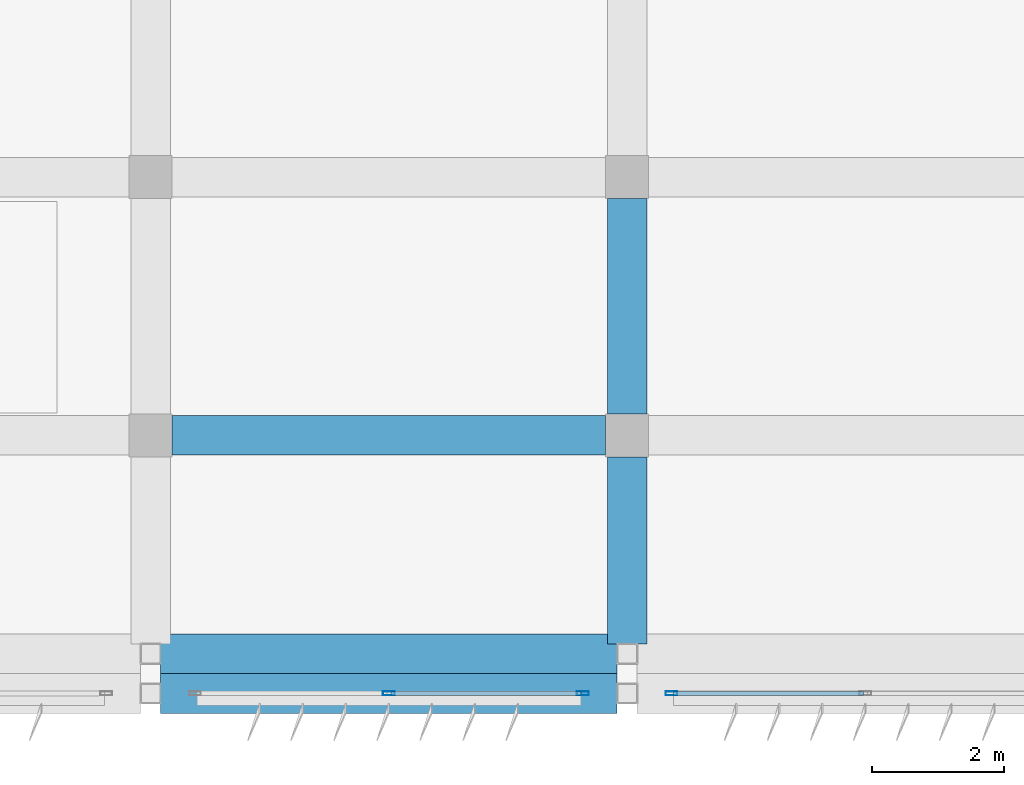
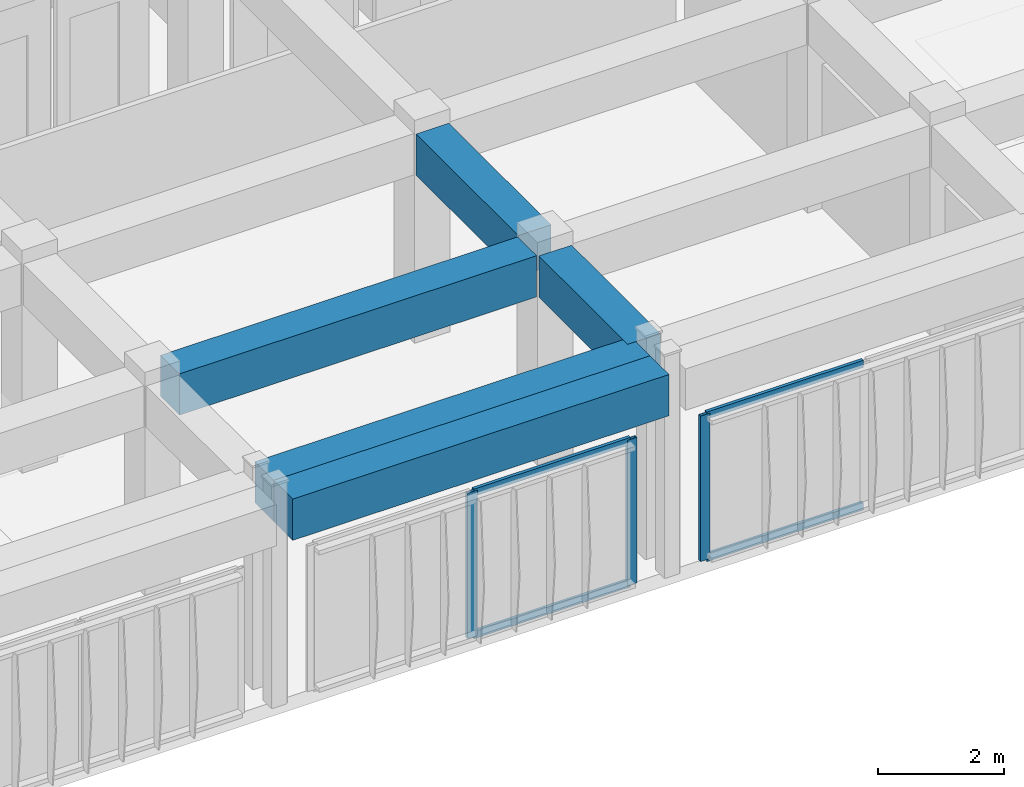
# One storey, part 14 of 42: 7 members, 5 beams, 2 elements without a shape of their own.
"""IFC4 building model written with IfcOpenShell, lengths in metres."""

from ifc_helpers import new_model, si_unit, direction, frame, origin, origin_2d, place, context, subcontext, project, spatial, rectangle, hollow_rectangle, extrude, material, material_profile, profile_set, type_object, element, aggregate, save


model = new_model("IFC4")

# Units and contexts
model_context = context("Model", 3, precision=1e-05, world=origin(), true_north=direction((0.0, 1.0)))
body_context = subcontext(model_context, "Body", "Model", "MODEL_VIEW")
ifc_project = project(units=[si_unit("LENGTHUNIT", "METRE"), si_unit("AREAUNIT", "SQUARE_METRE"), si_unit("VOLUMEUNIT", "CUBIC_METRE"), si_unit("PLANEANGLEUNIT", "RADIAN"), si_unit("MASSUNIT", "GRAM", prefix="KILO")], contexts=[model_context])

# Site, building, storey
site_placement = place(None, origin())
site = spatial("IfcSite", under=ifc_project, at=site_placement, CompositionType="ELEMENT")
building_placement = place(site_placement, origin())
building = spatial("IfcBuilding", under=site, at=building_placement, Name="Kazehaya Institute of Natural Sciences", CompositionType="ELEMENT")
storey_placement = place(building_placement, frame((0.0, 0.0, 37.6201171875)))
storey = spatial("IfcBuildingStorey", under=building, at=storey_placement, Name="L08", CompositionType="ELEMENT", Elevation=37.6201171875)

# Beams
ifc_material_1 = material(Name="Concrete Fc36", Category="concrete")
ifc_material_profile_1 = material_profile(ifc_material_1, rectangle(XDim=0.60009765625, YDim=0.800048828125, at=origin_2d()), Name="RC-600x800")
ifc_profile_set_1 = profile_set([ifc_material_profile_1], Name="Concrete Fc36")
beam_type = type_object("IfcBeamType", Name="BM-G-600x800", PredefinedType="BEAM", material=ifc_profile_set_1)
for number, where, z_axis, x_axis, name in (
    (1, (83.550048828125, 6.199951171875, 3.64990234375), (1.0, 0.0, 0.0), (0.0, 1.0, 0.0), "L08 primary X girder BMX-L08-834-62"),
    (2, (83.550048828125, 6.800048828125, 3.64990234375), (1.0, 0.0, 0.0), (0.0, 1.0, 0.0), "L08 primary X girder BMX-L08-834-68"),
):
    element("IfcBeam", number, at=place(storey_placement, frame(where, z_axis=z_axis, x_axis=x_axis)), inside=storey, type_object=beam_type, Name=name, PredefinedType="BEAM", context=body_context, shape_type="SweptSolid", body=[
        extrude(rectangle(XDim=0.60009765625, YDim=0.800048828125, at=origin_2d()), origin(), (0.0, 0.0, 1.0), 6.89990234375),
    ])
beam_1_placement = place(storey_placement, frame((83.72509765625, 10.10009765625, 3.64990234375), z_axis=(1.0, 0.0, 0.0), x_axis=(0.0, 1.0, 0.0)))
element("IfcBeam", 3, at=beam_1_placement, inside=storey, type_object=beam_type, Name="L08 primary X girder BMX-L08-834-101", PredefinedType="BEAM", context=body_context, shape_type="SweptSolid", body=[
    extrude(rectangle(XDim=0.60009765625, YDim=0.800048828125, at=origin_2d()), origin(), (0.0, 0.0, 1.0), 6.5498046875),
])
beam_2_placement = place(storey_placement, frame((90.60009765625, 6.949951171875, 3.64990234375), z_axis=(0.0, 1.0, 0.0), x_axis=(-1.0, 0.0, 0.0)))
element("IfcBeam", 4, at=beam_2_placement, inside=storey, type_object=beam_type, Name="L08 primary Y girder BMY-L08-906-68", PredefinedType="BEAM", context=body_context, shape_type="SweptSolid", body=[
    extrude(rectangle(XDim=0.60009765625, YDim=0.800048828125, at=origin_2d()), origin(), (0.0, 0.0, 1.0), 2.824951171875),
])
beam_3_placement = place(storey_placement, frame((90.60009765625, 10.425048828125, 3.64990234375), z_axis=(0.0, 1.0, 0.0), x_axis=(-1.0, 0.0, 0.0)))
element("IfcBeam", 5, at=beam_3_placement, inside=storey, type_object=beam_type, Name="L08 primary Y girder BMY-L08-906-101", PredefinedType="BEAM", context=body_context, shape_type="SweptSolid", body=[
    extrude(rectangle(XDim=0.60009765625, YDim=0.800048828125, at=origin_2d()), origin(), (0.0, 0.0, 1.0), 3.25),
])

# Curtain wall, member
ifc_material_2 = material(Name="Aluminium alloy A6063S-T5", Category="aluminium")
curtain_wall_type = type_object("IfcCurtainWallType", Name="CW-SYS-05", PredefinedType="NOTDEFINED", material=ifc_material_2)
curtain_wall_1_placement = place(storey_placement, origin())
curtain_wall_1 = element("IfcCurtainWall", 6, at=curtain_wall_1_placement, inside=storey, type_object=curtain_wall_type, Name="L08 unitised curtain wall CW-L08-179", PredefinedType="NOTDEFINED")
ifc_material_profile_2 = material_profile(ifc_material_2, hollow_rectangle(XDim=0.06005859375, YDim=0.179931640625, WallThickness=0.00390625, at=origin_2d()), Name="ALU-60x180x4")
ifc_profile_set_2 = profile_set([ifc_material_profile_2], Name="Aluminium alloy A6063S-T5")
member_type_1 = type_object("IfcMemberType", Name="CWM-180", PredefinedType="MULLION", material=ifc_profile_set_2)
member_1_placement = place(storey_placement, frame((91.27001953125, 6.199951171875, 0.0), z_axis=(0.0, 0.0, 1.0), x_axis=(0.0, -1.0, 0.0)))
member_1 = element("IfcMember", 7, at=member_1_placement, type_object=member_type_1, Name="CW05 mullion 3", PredefinedType="MULLION", context=body_context, shape_type="SweptSolid", body=[
    extrude(hollow_rectangle(XDim=0.06005859375, YDim=0.179931640625, WallThickness=0.00390625, at=origin_2d()), origin(), (0.0, 0.0, 1.0), 2.81982421875),
])

# Curtain wall, members
curtain_wall_2_placement = place(storey_placement, origin())
curtain_wall_2 = element("IfcCurtainWall", 8, at=curtain_wall_2_placement, inside=storey, type_object=curtain_wall_type, Name="L08 unitised curtain wall CW-L08-180", PredefinedType="NOTDEFINED")
member_2_placement = place(storey_placement, frame((89.929931640625, 6.199951171875, 0.0), z_axis=(0.0, 0.0, 1.0), x_axis=(0.0, -1.0, 0.0)))
member_2 = element("IfcMember", 9, at=member_2_placement, type_object=member_type_1, Name="CW05 mullion 1", PredefinedType="MULLION", context=body_context, shape_type="SweptSolid", body=[
    extrude(hollow_rectangle(XDim=0.06005859375, YDim=0.179931640625, WallThickness=0.00390625, at=origin_2d()), origin(), (0.0, 0.0, 1.0), 2.81982421875),
])
member_3_placement = place(storey_placement, frame((87.0, 6.199951171875, 0.0), z_axis=(0.0, 0.0, 1.0), x_axis=(0.0, -1.0, 0.0)))
member_3 = element("IfcMember", 10, at=member_3_placement, type_object=member_type_1, Name="CW05 mullion 2", PredefinedType="MULLION", context=body_context, shape_type="SweptSolid", body=[
    extrude(hollow_rectangle(XDim=0.06005859375, YDim=0.179931640625, WallThickness=0.00390625, at=origin_2d()), origin(), (0.0, 0.0, 1.0), 2.81982421875),
])

# Member
ifc_material_profile_3 = material_profile(ifc_material_2, hollow_rectangle(XDim=0.06005859375, YDim=0.139892578125, WallThickness=0.00341796875, at=origin_2d()), Name="ALU-60x140x3.5")
ifc_profile_set_3 = profile_set([ifc_material_profile_3], Name="Aluminium alloy A6063S-T5")
member_type_2 = type_object("IfcMemberType", Name="CWT-140", PredefinedType="USERDEFINED", material=ifc_profile_set_3)
member_4_placement = place(storey_placement, frame((94.169921875, 6.199951171875, 0.02978515625), z_axis=(-1.0, 0.0, 0.0), x_axis=(0.0, -1.0, 0.0)))
member_4 = element("IfcMember", 11, at=member_4_placement, type_object=member_type_2, Name="CW05 transom 2.1", ObjectType="TRANSOM", PredefinedType="USERDEFINED", context=body_context, shape_type="SweptSolid", body=[
    extrude(hollow_rectangle(XDim=0.06005859375, YDim=0.139892578125, WallThickness=0.00341796875, at=origin_2d()), origin(), (0.0, 0.0, 1.0), 2.869873046875),
])

member_5_placement = place(storey_placement, frame((94.169921875, 6.199951171875, 2.789794921875), z_axis=(-1.0, 0.0, 0.0), x_axis=(0.0, -1.0, 0.0)))
member_5 = element("IfcMember", 12, at=member_5_placement, type_object=member_type_2, Name="CW05 transom 2.2", ObjectType="TRANSOM", PredefinedType="USERDEFINED", context=body_context, shape_type="SweptSolid", body=[
    extrude(hollow_rectangle(XDim=0.06005859375, YDim=0.139892578125, WallThickness=0.00341796875, at=origin_2d()), origin(), (0.0, 0.0, 1.0), 2.869873046875),
])

aggregate(curtain_wall_1, [member_1, member_4, member_5])

member_6_placement = place(storey_placement, frame((89.89990234375, 6.199951171875, 0.02978515625), z_axis=(-1.0, 0.0, 0.0), x_axis=(0.0, -1.0, 0.0)))
member_6 = element("IfcMember", 13, at=member_6_placement, type_object=member_type_2, Name="CW05 transom 1.1", ObjectType="TRANSOM", PredefinedType="USERDEFINED", context=body_context, shape_type="SweptSolid", body=[
    extrude(hollow_rectangle(XDim=0.06005859375, YDim=0.139892578125, WallThickness=0.00341796875, at=origin_2d()), origin(), (0.0, 0.0, 1.0), 2.869873046875),
])

member_7_placement = place(storey_placement, frame((89.89990234375, 6.199951171875, 2.789794921875), z_axis=(-1.0, 0.0, 0.0), x_axis=(0.0, -1.0, 0.0)))
member_7 = element("IfcMember", 14, at=member_7_placement, type_object=member_type_2, Name="CW05 transom 1.2", ObjectType="TRANSOM", PredefinedType="USERDEFINED", context=body_context, shape_type="SweptSolid", body=[
    extrude(hollow_rectangle(XDim=0.06005859375, YDim=0.139892578125, WallThickness=0.00341796875, at=origin_2d()), origin(), (0.0, 0.0, 1.0), 2.869873046875),
])

aggregate(curtain_wall_2, [member_2, member_3, member_6, member_7])

save(model, "model.ifc")
